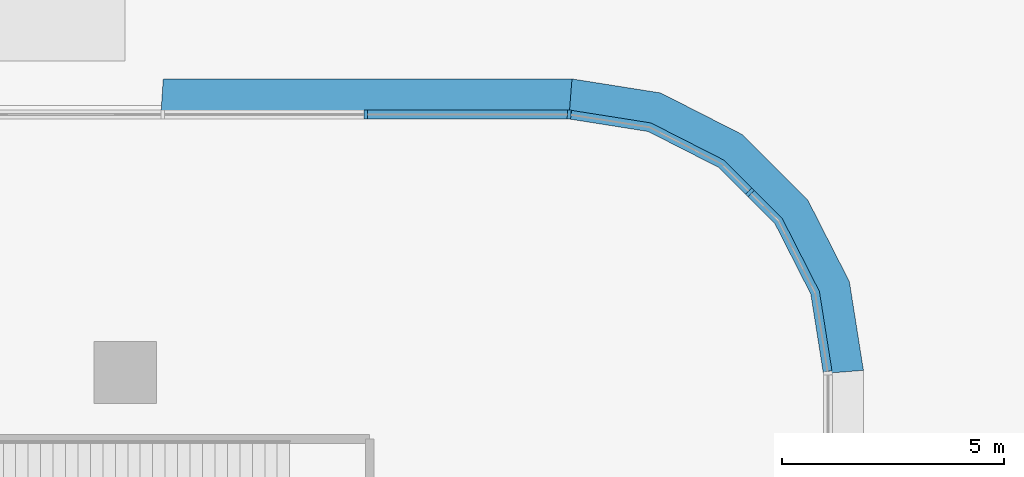
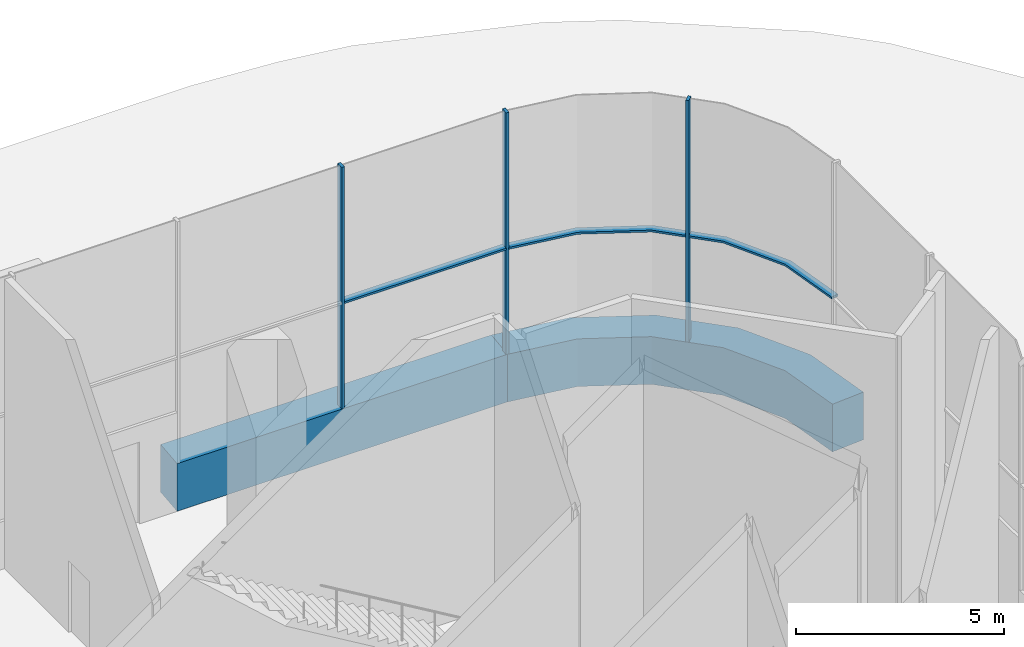
# One storey, part 15 of 54: 8 members, 2 elements without a shape of their own.
"""IFC4 building model written with IfcOpenShell, lengths in metres."""

from ifc_helpers import new_model, si_unit, direction, frame, origin, origin_2d, place, context, subcontext, project, spatial, polyline, rectangle, outline, extrude, material, layer, layer_set, material_profile, profile_set, type_object, element, aggregate, save


model = new_model("IFC4")

# Units and contexts
model_context = context("Model", 3, precision=1e-05, world=origin(), true_north=direction((0.0, 1.0)))
body_context = subcontext(model_context, "Body", "Model", "MODEL_VIEW")
ifc_project = project(units=[si_unit("LENGTHUNIT", "METRE"), si_unit("AREAUNIT", "SQUARE_METRE"), si_unit("VOLUMEUNIT", "CUBIC_METRE"), si_unit("PLANEANGLEUNIT", "RADIAN"), si_unit("MASSUNIT", "GRAM", prefix="KILO")], contexts=[model_context])

# Site, building, storey
site_placement = place(None, origin())
site = spatial("IfcSite", under=ifc_project, at=site_placement, CompositionType="ELEMENT")
building_placement = place(site_placement, origin())
building = spatial("IfcBuilding", under=site, at=building_placement, Name="Tamarind Cross Interchange Tower", CompositionType="ELEMENT")
storey_placement = place(building_placement, origin())
storey = spatial("IfcBuildingStorey", under=building, at=storey_placement, Name="L00", CompositionType="ELEMENT", Elevation=0.0)

# Curtain wall, member
ifc_material_1 = material(Name="Aluminium 6063-T6", Category="aluminium")
ifc_layer = layer(ifc_material_1, 0.199951171875)
ifc_layer_set = layer_set([ifc_layer], Name="Aluminium 6063-T6")
curtain_wall_type = type_object("IfcCurtainWallType", Name="Podium shopfront and station curtain wall", PredefinedType="NOTDEFINED", material=ifc_layer_set)
curtain_wall_1_placement = place(storey_placement, origin())
curtain_wall_1 = element("IfcCurtainWall", 1, at=curtain_wall_1_placement, inside=storey, type_object=curtain_wall_type, Name="CWS-L00-01", PredefinedType="NOTDEFINED")
ifc_material_2 = material(Name="Aluminium and insulated spandrel panel", Category="aluminium")
member_type_1 = type_object("IfcMemberType", Name="Floor-edge blade transom", PredefinedType="USERDEFINED", material=ifc_material_2)
member_1_placement = place(storey_placement, origin())
member_1 = element("IfcMember", 2, at=member_1_placement, type_object=member_type_1, Name="CWT-L00-01", ObjectType="TRANSOM", PredefinedType="USERDEFINED", context=body_context, shape_type="SweptSolid", body=[
    extrude(outline(polyline([(69.699951171875, 53.976318359375), (69.41748046875, 55.76025390625), (68.6083984375, 57.34814453125), (67.34814453125, 58.6083984375), (65.76025390625, 59.41748046875), (63.976318359375, 59.699951171875), (64.047119140625, 60.60009765625), (66.041748046875, 60.2841796875), (67.8837890625, 59.345458984375), (69.345458984375, 57.8837890625), (70.2841796875, 56.041748046875), (70.60009765625, 54.047119140625), (69.699951171875, 53.976318359375)])), origin(), (0.0, 0.0, 1.0), 1.39990234375),
])

curtain_wall_2_placement = place(storey_placement, origin())
curtain_wall_2 = element("IfcCurtainWall", 3, at=curtain_wall_2_placement, inside=storey, type_object=curtain_wall_type, Name="CWS-L00-02", PredefinedType="NOTDEFINED")
member_2_placement = place(storey_placement, origin())
member_2 = element("IfcMember", 4, at=member_2_placement, type_object=member_type_1, Name="CWT-L00-02-0", ObjectType="TRANSOM", PredefinedType="USERDEFINED", context=body_context, shape_type="SweptSolid", body=[
    extrude(outline(polyline([(63.976318359375, 59.699951171875), (54.796875, 59.699951171875), (54.857666015625, 60.60009765625), (64.047119140625, 60.60009765625), (63.976318359375, 59.699951171875)])), origin(), (0.0, 0.0, 1.0), 1.39990234375),
])

# Member
ifc_material_profile = material_profile(ifc_material_1, rectangle(XDim=0.080078125, YDim=0.199951171875, at=origin_2d()), Name="Mullion CW3")
ifc_profile_set = profile_set([ifc_material_profile], Name="Aluminium 6063-T6")
member_type_2 = type_object("IfcMemberType", Name="Mullion CW3", PredefinedType="MULLION", material=ifc_profile_set)
member_3_placement = place(storey_placement, frame((68.049072265625, 58.049072265625, 1.39990234375), z_axis=(0.0, 0.0, 1.0), x_axis=(-0.707106781187, 0.707106781187, 0.0)))
member_3 = element("IfcMember", 5, at=member_3_placement, type_object=member_type_2, Name="CWM-L00-01-01", PredefinedType="MULLION", context=body_context, shape_type="SweptSolid", body=[
    extrude(rectangle(XDim=0.080078125, YDim=0.199951171875, at=origin_2d()), origin(), (0.0, 0.0, 1.0), 7.10009765625),
])

member_4_placement = place(storey_placement, frame((63.984375, 59.800048828125, 1.39990234375), z_axis=(0.0, 0.0, 1.0), x_axis=(-0.996917333733, 0.078459095728, 0.0)))
member_4 = element("IfcMember", 6, at=member_4_placement, type_object=member_type_2, Name="CWM-L00-02-00", PredefinedType="MULLION", context=body_context, shape_type="SweptSolid", body=[
    extrude(rectangle(XDim=0.080078125, YDim=0.199951171875, at=origin_2d()), origin(), (0.0, 0.0, 1.0), 7.10009765625),
])

member_5_placement = place(storey_placement, frame((59.4140625, 59.800048828125, 1.39990234375), z_axis=(0.0, 0.0, 1.0), x_axis=(-1.0, 0.0, 0.0)))
member_5 = element("IfcMember", 7, at=member_5_placement, type_object=member_type_2, Name="CWM-L00-02-01", PredefinedType="MULLION", context=body_context, shape_type="SweptSolid", body=[
    extrude(rectangle(XDim=0.080078125, YDim=0.199951171875, at=origin_2d()), origin(), (0.0, 0.0, 1.0), 7.10009765625),
])

member_type_3 = type_object("IfcMemberType", Name="Podium intermediate transom", PredefinedType="USERDEFINED", material=ifc_material_1)
member_6_placement = place(storey_placement, frame((0.0, 0.0, 4.469970703125)))
member_6 = element("IfcMember", 8, at=member_6_placement, type_object=member_type_3, Name="CWT-L00-01-I0-00", ObjectType="TRANSOM", PredefinedType="USERDEFINED", context=body_context, shape_type="SweptSolid", body=[
    extrude(outline(polyline([(69.695068359375, 54.008056640625), (69.41748046875, 55.76025390625), (68.6083984375, 57.34814453125), (68.006591796875, 57.949951171875), (68.14794921875, 58.09130859375), (68.772216796875, 57.46728515625), (69.610107421875, 55.82275390625), (69.892578125, 54.039306640625), (69.695068359375, 54.008056640625)])), origin(), (0.0, 0.0, 1.0), 0.06005859375),
])

member_7_placement = place(storey_placement, frame((0.0, 0.0, 4.469970703125)))
member_7 = element("IfcMember", 9, at=member_7_placement, type_object=member_type_3, Name="CWT-L00-01-I0-01", ObjectType="TRANSOM", PredefinedType="USERDEFINED", context=body_context, shape_type="SweptSolid", body=[
    extrude(outline(polyline([(67.949951171875, 58.006591796875), (67.34814453125, 58.6083984375), (65.76025390625, 59.41748046875), (64.008056640625, 59.695068359375), (64.039306640625, 59.892578125), (65.82275390625, 59.610107421875), (67.46728515625, 58.772216796875), (68.09130859375, 58.14794921875), (67.949951171875, 58.006591796875)])), origin(), (0.0, 0.0, 1.0), 0.06005859375),
])

aggregate(curtain_wall_1, [member_3, member_6, member_7, member_1])

member_8_placement = place(storey_placement, frame((0.0, 0.0, 4.469970703125)))
member_8 = element("IfcMember", 10, at=member_8_placement, type_object=member_type_3, Name="CWT-L00-02-I0-00", ObjectType="TRANSOM", PredefinedType="USERDEFINED", context=body_context, shape_type="SweptSolid", body=[
    extrude(outline(polyline([(63.9443359375, 59.699951171875), (59.453857421875, 59.699951171875), (59.453857421875, 59.89990234375), (63.9443359375, 59.89990234375), (63.9443359375, 59.699951171875)])), origin(), (0.0, 0.0, 1.0), 0.06005859375),
])

aggregate(curtain_wall_2, [member_4, member_5, member_8, member_2])

save(model, "model.ifc")
